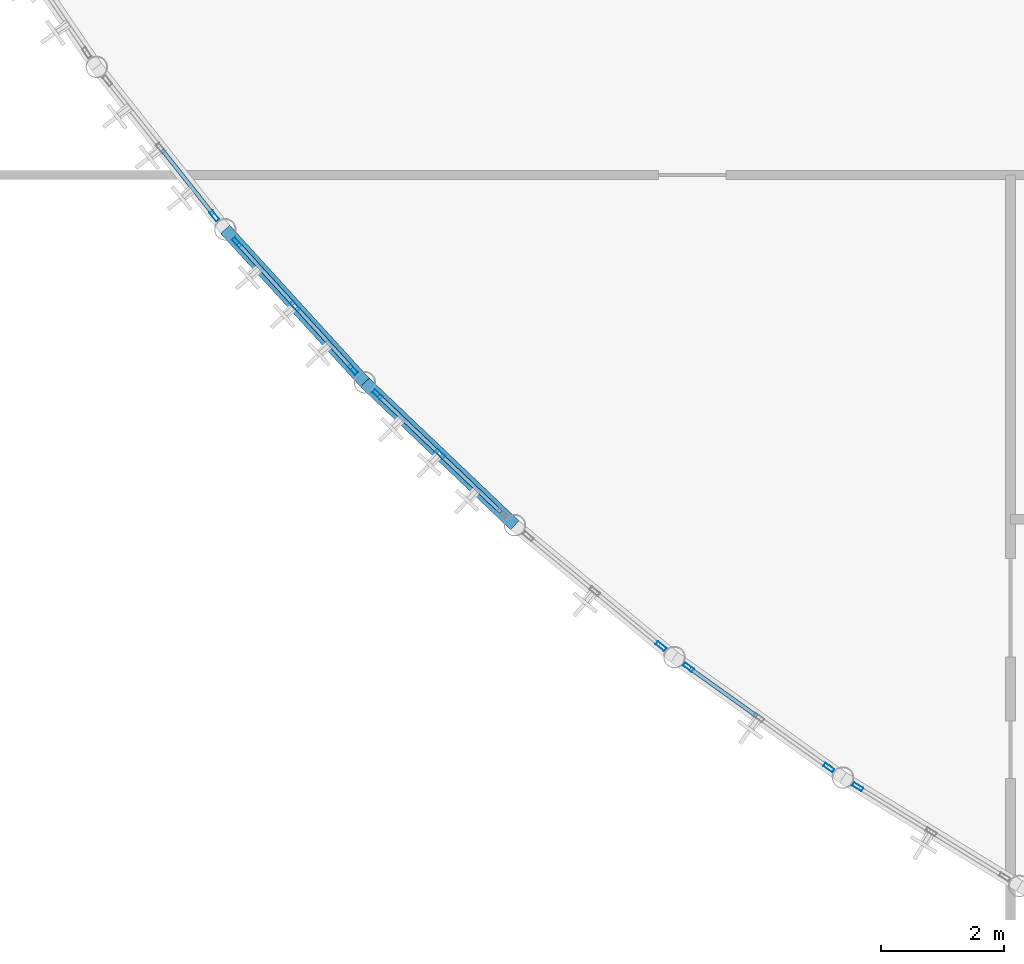
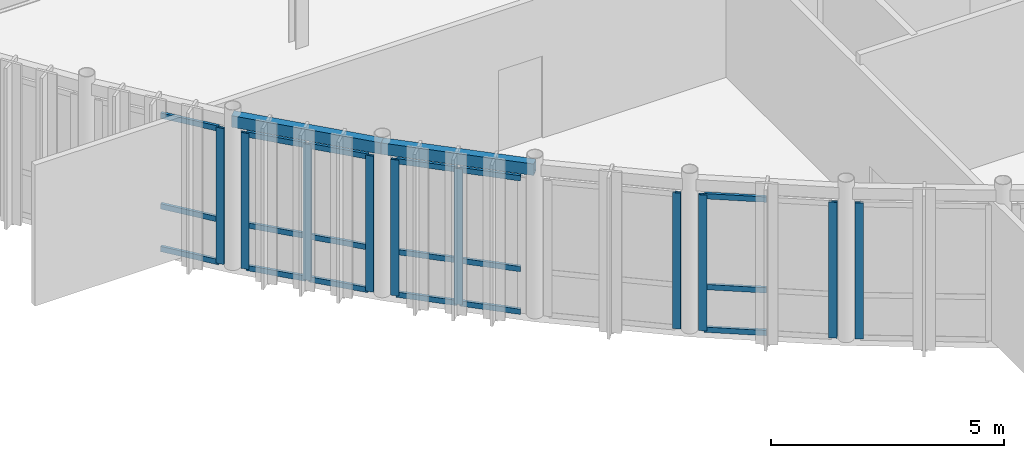
# One storey, part 7 of 32: 28 members, 2 beams, 6 elements without a shape of their own.
"""IFC4 building model written with IfcOpenShell, lengths in metres."""

from ifc_helpers import new_model, si_unit, direction, frame, origin, origin_2d, place, context, subcontext, project, spatial, hollow_rectangle, extrude, material, layer, layer_set, material_profile, profile_set, type_object, element, aggregate, save


model = new_model("IFC4")

# Units and contexts
model_context = context("Model", 3, precision=1e-05, world=origin(), true_north=direction((0.0, 1.0)))
body_context = subcontext(model_context, "Body", "Model", "MODEL_VIEW")
ifc_project = project(units=[si_unit("LENGTHUNIT", "METRE"), si_unit("AREAUNIT", "SQUARE_METRE"), si_unit("VOLUMEUNIT", "CUBIC_METRE"), si_unit("PLANEANGLEUNIT", "RADIAN"), si_unit("MASSUNIT", "GRAM", prefix="KILO")], contexts=[model_context])

# Site, building, storey
site_placement = place(None, origin())
site = spatial("IfcSite", under=ifc_project, at=site_placement, CompositionType="ELEMENT")
building_placement = place(site_placement, origin())
building = spatial("IfcBuilding", under=site, at=building_placement, Name="Selat Folded Stagehouse", CompositionType="ELEMENT")
storey_placement = place(building_placement, frame((0.0, 0.0, 19.199951171875)))
storey = spatial("IfcBuildingStorey", under=building, at=storey_placement, Name="L04", CompositionType="ELEMENT", Elevation=19.199951171875)

# Curtain wall, member
ifc_material_1 = material(Name="Aluminium 6063-T6", Category="aluminium")
ifc_layer = layer(ifc_material_1, 0.18505859375)
ifc_layer_set = layer_set([ifc_layer], Name="Aluminium 6063-T6")
curtain_wall_type = type_object("IfcCurtainWallType", Name="CW-DRM-UPPER", PredefinedType="NOTDEFINED", material=ifc_layer_set)
curtain_wall_1_placement = place(storey_placement, origin())
curtain_wall_1 = element("IfcCurtainWall", 1, at=curtain_wall_1_placement, inside=storey, type_object=curtain_wall_type, Name="L04 curtain wall CW-DRM-L04-11", PredefinedType="NOTDEFINED")
ifc_material_profile_1 = material_profile(ifc_material_1, hollow_rectangle(XDim=0.06494140625, YDim=0.179931640625, WallThickness=0.00390625, at=origin_2d()), Name="ALU 180x65x4.0")
ifc_profile_set_1 = profile_set([ifc_material_profile_1], Name="Aluminium 6063-T6")
member_type_1 = type_object("IfcMemberType", Name="CWM-MUL-180x65", PredefinedType="MULLION", material=ifc_profile_set_1)
member_1_placement = place(storey_placement, frame((11.25146484375, 17.134765625, 0.0), z_axis=(0.0, 0.0, 1.0), x_axis=(-0.784180094825, -0.620533301992, 0.0)))
member_1 = element("IfcMember", 2, at=member_1_placement, type_object=member_type_1, Name="CW-03 mullion 1", PredefinedType="MULLION", context=body_context, shape_type="SweptSolid", body=[
    extrude(hollow_rectangle(XDim=0.06494140625, YDim=0.179931640625, WallThickness=0.00390625, at=origin_2d()), origin(), (0.0, 0.0, 1.0), 3.56005859375),
])

# Curtain wall, members
curtain_wall_2_placement = place(storey_placement, origin())
curtain_wall_2 = element("IfcCurtainWall", 3, at=curtain_wall_2_placement, inside=storey, type_object=curtain_wall_type, Name="L04 curtain wall CW-DRM-L04-12", PredefinedType="NOTDEFINED")
member_2_placement = place(storey_placement, frame((13.507080078125, 14.633056640625, 0.0), z_axis=(0.0, 0.0, 1.0), x_axis=(-0.738729183213, -0.674002369336, 0.0)))
member_2 = element("IfcMember", 4, at=member_2_placement, type_object=member_type_1, Name="CW-03 mullion 1", PredefinedType="MULLION", context=body_context, shape_type="SweptSolid", body=[
    extrude(hollow_rectangle(XDim=0.06494140625, YDim=0.179931640625, WallThickness=0.00390625, at=origin_2d()), origin(), (0.0, 0.0, 1.0), 3.56005859375),
])
member_3_placement = place(storey_placement, frame((12.56201171875, 15.668701171875, 0.0), z_axis=(0.0, 0.0, 1.0), x_axis=(-0.738729183213, -0.674002369336, 0.0)))
member_3 = element("IfcMember", 5, at=member_3_placement, type_object=member_type_1, Name="CW-03 mullion 2", PredefinedType="MULLION", context=body_context, shape_type="SweptSolid", body=[
    extrude(hollow_rectangle(XDim=0.06494140625, YDim=0.179931640625, WallThickness=0.00390625, at=origin_2d()), origin(), (0.0, 0.0, 1.0), 3.56005859375),
])
member_4_placement = place(storey_placement, frame((11.6171875, 16.704345703125, 0.0), z_axis=(0.0, 0.0, 1.0), x_axis=(-0.738729183213, -0.674002369336, 0.0)))
member_4 = element("IfcMember", 6, at=member_4_placement, type_object=member_type_1, Name="CW-03 mullion 3", PredefinedType="MULLION", context=body_context, shape_type="SweptSolid", body=[
    extrude(hollow_rectangle(XDim=0.06494140625, YDim=0.179931640625, WallThickness=0.00390625, at=origin_2d()), origin(), (0.0, 0.0, 1.0), 3.56005859375),
])

curtain_wall_3_placement = place(storey_placement, origin())
curtain_wall_3 = element("IfcCurtainWall", 7, at=curtain_wall_3_placement, inside=storey, type_object=curtain_wall_type, Name="L04 curtain wall CW-DRM-L04-13", PredefinedType="NOTDEFINED")
member_5_placement = place(storey_placement, frame((14.917236328125, 13.262451171875, 0.0), z_axis=(0.0, 0.0, 1.0), x_axis=(-0.689661264636, -0.724132128869, 0.0)))
member_5 = element("IfcMember", 8, at=member_5_placement, type_object=member_type_1, Name="CW-03 mullion 2", PredefinedType="MULLION", context=body_context, shape_type="SweptSolid", body=[
    extrude(hollow_rectangle(XDim=0.06494140625, YDim=0.179931640625, WallThickness=0.00390625, at=origin_2d()), origin(), (0.0, 0.0, 1.0), 3.56005859375),
])
member_6_placement = place(storey_placement, frame((13.90185546875, 14.2294921875, 0.0), z_axis=(0.0, 0.0, 1.0), x_axis=(-0.689661264636, -0.724132128869, 0.0)))
member_6 = element("IfcMember", 9, at=member_6_placement, type_object=member_type_1, Name="CW-03 mullion 3", PredefinedType="MULLION", context=body_context, shape_type="SweptSolid", body=[
    extrude(hollow_rectangle(XDim=0.06494140625, YDim=0.179931640625, WallThickness=0.00390625, at=origin_2d()), origin(), (0.0, 0.0, 1.0), 3.56005859375),
])

# Curtain wall, member
curtain_wall_4_placement = place(storey_placement, origin())
curtain_wall_4 = element("IfcCurtainWall", 10, at=curtain_wall_4_placement, inside=storey, type_object=curtain_wall_type, Name="L04 curtain wall CW-DRM-L04-14", PredefinedType="NOTDEFINED")
member_7_placement = place(storey_placement, frame((18.515869140625, 10.13427734375, 0.0), z_axis=(0.0, 0.0, 1.0), x_axis=(-0.637141737734, -0.770746654899, 0.0)))
member_7 = element("IfcMember", 11, at=member_7_placement, type_object=member_type_1, Name="CW-03 mullion 1", PredefinedType="MULLION", context=body_context, shape_type="SweptSolid", body=[
    extrude(hollow_rectangle(XDim=0.06494140625, YDim=0.179931640625, WallThickness=0.00390625, at=origin_2d()), origin(), (0.0, 0.0, 1.0), 3.56005859375),
])
aggregate(curtain_wall_4, [member_7])

# Curtain wall, members
curtain_wall_5_placement = place(storey_placement, origin())
curtain_wall_5 = element("IfcCurtainWall", 12, at=curtain_wall_5_placement, inside=storey, type_object=curtain_wall_type, Name="L04 curtain wall CW-DRM-L04-15", PredefinedType="NOTDEFINED")
member_8_placement = place(storey_placement, frame((21.24462890625, 8.159423828125, 0.0), z_axis=(0.0, 0.0, 1.0), x_axis=(-0.581528304836, -0.813526170861, 0.0)))
member_8 = element("IfcMember", 13, at=member_8_placement, type_object=member_type_1, Name="CW-03 mullion 1", PredefinedType="MULLION", context=body_context, shape_type="SweptSolid", body=[
    extrude(hollow_rectangle(XDim=0.06494140625, YDim=0.179931640625, WallThickness=0.00390625, at=origin_2d()), origin(), (0.0, 0.0, 1.0), 3.56005859375),
])
member_9_placement = place(storey_placement, frame((18.96337890625, 9.7900390625, 0.0), z_axis=(0.0, 0.0, 1.0), x_axis=(-0.581528304836, -0.813526170861, 0.0)))
member_9 = element("IfcMember", 14, at=member_9_placement, type_object=member_type_1, Name="CW-03 mullion 3", PredefinedType="MULLION", context=body_context, shape_type="SweptSolid", body=[
    extrude(hollow_rectangle(XDim=0.06494140625, YDim=0.179931640625, WallThickness=0.00390625, at=origin_2d()), origin(), (0.0, 0.0, 1.0), 3.56005859375),
])

# Curtain wall, member
curtain_wall_6_placement = place(storey_placement, origin())
curtain_wall_6 = element("IfcCurtainWall", 15, at=curtain_wall_6_placement, inside=storey, type_object=curtain_wall_type, Name="L04 curtain wall CW-DRM-L04-16", PredefinedType="NOTDEFINED")
member_10_placement = place(storey_placement, frame((21.715087890625, 7.847412109375, 0.0), z_axis=(0.0, 0.0, 1.0), x_axis=(-0.523025427755, -0.852317078277, 0.0)))
member_10 = element("IfcMember", 16, at=member_10_placement, type_object=member_type_1, Name="CW-03 mullion 3", PredefinedType="MULLION", context=body_context, shape_type="SweptSolid", body=[
    extrude(hollow_rectangle(XDim=0.06494140625, YDim=0.179931640625, WallThickness=0.00390625, at=origin_2d()), origin(), (0.0, 0.0, 1.0), 3.56005859375),
])
aggregate(curtain_wall_6, [member_10])

# Member
ifc_material_profile_2 = material_profile(ifc_material_1, hollow_rectangle(XDim=0.06494140625, YDim=0.139892578125, WallThickness=0.00390625, at=origin_2d()), Name="ALU 140x65x4.0")
ifc_profile_set_2 = profile_set([ifc_material_profile_2], Name="Aluminium 6063-T6")
member_type_2 = type_object("IfcMemberType", Name="CWM-TRN-140x65", PredefinedType="USERDEFINED", material=ifc_profile_set_2)
member_11_placement = place(storey_placement, frame((11.231201171875, 17.16015625, 0.032470703125), z_axis=(-0.620543894038, 0.784171713066, 0.0), x_axis=(-0.784171713066, -0.620543894038, 0.0)))
member_11 = element("IfcMember", 17, at=member_11_placement, type_object=member_type_2, Name="CW-03 transom 1.1", ObjectType="TRANSOM", PredefinedType="USERDEFINED", context=body_context, shape_type="SweptSolid", body=[
    extrude(hollow_rectangle(XDim=0.06494140625, YDim=0.139892578125, WallThickness=0.00390625, at=origin_2d()), origin(), (0.0, 0.0, 1.0), 1.3369140625),
])

member_12_placement = place(storey_placement, frame((11.231201171875, 17.16015625, 1.150146484375), z_axis=(-0.620543894038, 0.784171713066, 0.0), x_axis=(-0.784171713066, -0.620543894038, 0.0)))
member_12 = element("IfcMember", 18, at=member_12_placement, type_object=member_type_2, Name="CW-03 transom 1.2", ObjectType="TRANSOM", PredefinedType="USERDEFINED", context=body_context, shape_type="SweptSolid", body=[
    extrude(hollow_rectangle(XDim=0.06494140625, YDim=0.139892578125, WallThickness=0.00390625, at=origin_2d()), origin(), (0.0, 0.0, 1.0), 1.3369140625),
])

member_13_placement = place(storey_placement, frame((11.231201171875, 17.16015625, 3.527587890625), z_axis=(-0.620543894038, 0.784171713066, 0.0), x_axis=(-0.784171713066, -0.620543894038, 0.0)))
member_13 = element("IfcMember", 19, at=member_13_placement, type_object=member_type_2, Name="CW-03 transom 1.3", ObjectType="TRANSOM", PredefinedType="USERDEFINED", context=body_context, shape_type="SweptSolid", body=[
    extrude(hollow_rectangle(XDim=0.06494140625, YDim=0.139892578125, WallThickness=0.00390625, at=origin_2d()), origin(), (0.0, 0.0, 1.0), 1.3369140625),
])

aggregate(curtain_wall_1, [member_1, member_11, member_12, member_13])

member_14_placement = place(storey_placement, frame((13.485107421875, 14.656982421875, 0.032470703125), z_axis=(-0.673953245799, 0.738773999594, 0.0), x_axis=(-0.738773999594, -0.673953245799, 0.0)))
member_14 = element("IfcMember", 20, at=member_14_placement, type_object=member_type_2, Name="CW-03 transom 1.1", ObjectType="TRANSOM", PredefinedType="USERDEFINED", context=body_context, shape_type="SweptSolid", body=[
    extrude(hollow_rectangle(XDim=0.06494140625, YDim=0.139892578125, WallThickness=0.00390625, at=origin_2d()), origin(), (0.0, 0.0, 1.0), 1.337158203125),
])

member_15_placement = place(storey_placement, frame((13.485107421875, 14.656982421875, 1.150146484375), z_axis=(-0.673953245799, 0.738773999594, 0.0), x_axis=(-0.738773999594, -0.673953245799, 0.0)))
member_15 = element("IfcMember", 21, at=member_15_placement, type_object=member_type_2, Name="CW-03 transom 1.2", ObjectType="TRANSOM", PredefinedType="USERDEFINED", context=body_context, shape_type="SweptSolid", body=[
    extrude(hollow_rectangle(XDim=0.06494140625, YDim=0.139892578125, WallThickness=0.00390625, at=origin_2d()), origin(), (0.0, 0.0, 1.0), 1.337158203125),
])

member_16_placement = place(storey_placement, frame((13.485107421875, 14.656982421875, 3.527587890625), z_axis=(-0.673953245799, 0.738773999594, 0.0), x_axis=(-0.738773999594, -0.673953245799, 0.0)))
member_16 = element("IfcMember", 22, at=member_16_placement, type_object=member_type_2, Name="CW-03 transom 1.3", ObjectType="TRANSOM", PredefinedType="USERDEFINED", context=body_context, shape_type="SweptSolid", body=[
    extrude(hollow_rectangle(XDim=0.06494140625, YDim=0.139892578125, WallThickness=0.00390625, at=origin_2d()), origin(), (0.0, 0.0, 1.0), 1.337158203125),
])

member_17_placement = place(storey_placement, frame((12.5400390625, 15.692626953125, 0.032470703125), z_axis=(-0.673953245799, 0.738773999594, 0.0), x_axis=(-0.738773999594, -0.673953245799, 0.0)))
member_17 = element("IfcMember", 23, at=member_17_placement, type_object=member_type_2, Name="CW-03 transom 2.1", ObjectType="TRANSOM", PredefinedType="USERDEFINED", context=body_context, shape_type="SweptSolid", body=[
    extrude(hollow_rectangle(XDim=0.06494140625, YDim=0.139892578125, WallThickness=0.00390625, at=origin_2d()), origin(), (0.0, 0.0, 1.0), 1.337158203125),
])

member_18_placement = place(storey_placement, frame((12.5400390625, 15.692626953125, 1.150146484375), z_axis=(-0.673953245799, 0.738773999594, 0.0), x_axis=(-0.738773999594, -0.673953245799, 0.0)))
member_18 = element("IfcMember", 24, at=member_18_placement, type_object=member_type_2, Name="CW-03 transom 2.2", ObjectType="TRANSOM", PredefinedType="USERDEFINED", context=body_context, shape_type="SweptSolid", body=[
    extrude(hollow_rectangle(XDim=0.06494140625, YDim=0.139892578125, WallThickness=0.00390625, at=origin_2d()), origin(), (0.0, 0.0, 1.0), 1.337158203125),
])

member_19_placement = place(storey_placement, frame((12.5400390625, 15.692626953125, 3.527587890625), z_axis=(-0.673953245799, 0.738773999594, 0.0), x_axis=(-0.738773999594, -0.673953245799, 0.0)))
member_19 = element("IfcMember", 25, at=member_19_placement, type_object=member_type_2, Name="CW-03 transom 2.3", ObjectType="TRANSOM", PredefinedType="USERDEFINED", context=body_context, shape_type="SweptSolid", body=[
    extrude(hollow_rectangle(XDim=0.06494140625, YDim=0.139892578125, WallThickness=0.00390625, at=origin_2d()), origin(), (0.0, 0.0, 1.0), 1.337158203125),
])

aggregate(curtain_wall_2, [member_2, member_3, member_4, member_14, member_15, member_16, member_17, member_18, member_19])

member_20_placement = place(storey_placement, frame((15.908935546875, 12.318115234375, 0.032470703125), z_axis=(-0.724150957523, 0.689641494343, 0.0), x_axis=(-0.689641494343, -0.724150957523, 0.0)))
member_20 = element("IfcMember", 26, at=member_20_placement, type_object=member_type_2, Name="CW-03 transom 1.1", ObjectType="TRANSOM", PredefinedType="USERDEFINED", context=body_context, shape_type="SweptSolid", body=[
    extrude(hollow_rectangle(XDim=0.06494140625, YDim=0.139892578125, WallThickness=0.00390625, at=origin_2d()), origin(), (0.0, 0.0, 1.0), 1.337158203125),
])

member_21_placement = place(storey_placement, frame((15.908935546875, 12.318115234375, 1.150146484375), z_axis=(-0.724150957523, 0.689641494343, 0.0), x_axis=(-0.689641494343, -0.724150957523, 0.0)))
member_21 = element("IfcMember", 27, at=member_21_placement, type_object=member_type_2, Name="CW-03 transom 1.2", ObjectType="TRANSOM", PredefinedType="USERDEFINED", context=body_context, shape_type="SweptSolid", body=[
    extrude(hollow_rectangle(XDim=0.06494140625, YDim=0.139892578125, WallThickness=0.00390625, at=origin_2d()), origin(), (0.0, 0.0, 1.0), 1.337158203125),
])

member_22_placement = place(storey_placement, frame((15.908935546875, 12.318115234375, 3.527587890625), z_axis=(-0.724150957523, 0.689641494343, 0.0), x_axis=(-0.689641494343, -0.724150957523, 0.0)))
member_22 = element("IfcMember", 28, at=member_22_placement, type_object=member_type_2, Name="CW-03 transom 1.3", ObjectType="TRANSOM", PredefinedType="USERDEFINED", context=body_context, shape_type="SweptSolid", body=[
    extrude(hollow_rectangle(XDim=0.06494140625, YDim=0.139892578125, WallThickness=0.00390625, at=origin_2d()), origin(), (0.0, 0.0, 1.0), 1.337158203125),
])

member_23_placement = place(storey_placement, frame((14.8935546875, 13.284912109375, 0.032470703125), z_axis=(-0.724064099626, 0.689732687084, 0.0), x_axis=(-0.689732687084, -0.724064099626, 0.0)))
member_23 = element("IfcMember", 29, at=member_23_placement, type_object=member_type_2, Name="CW-03 transom 2.1", ObjectType="TRANSOM", PredefinedType="USERDEFINED", context=body_context, shape_type="SweptSolid", body=[
    extrude(hollow_rectangle(XDim=0.06494140625, YDim=0.139892578125, WallThickness=0.00390625, at=origin_2d()), origin(), (0.0, 0.0, 1.0), 1.3369140625),
])

member_24_placement = place(storey_placement, frame((14.8935546875, 13.284912109375, 1.150146484375), z_axis=(-0.724064099626, 0.689732687084, 0.0), x_axis=(-0.689732687084, -0.724064099626, 0.0)))
member_24 = element("IfcMember", 30, at=member_24_placement, type_object=member_type_2, Name="CW-03 transom 2.2", ObjectType="TRANSOM", PredefinedType="USERDEFINED", context=body_context, shape_type="SweptSolid", body=[
    extrude(hollow_rectangle(XDim=0.06494140625, YDim=0.139892578125, WallThickness=0.00390625, at=origin_2d()), origin(), (0.0, 0.0, 1.0), 1.3369140625),
])

member_25_placement = place(storey_placement, frame((14.8935546875, 13.284912109375, 3.527587890625), z_axis=(-0.724064099626, 0.689732687084, 0.0), x_axis=(-0.689732687084, -0.724064099626, 0.0)))
member_25 = element("IfcMember", 31, at=member_25_placement, type_object=member_type_2, Name="CW-03 transom 2.3", ObjectType="TRANSOM", PredefinedType="USERDEFINED", context=body_context, shape_type="SweptSolid", body=[
    extrude(hollow_rectangle(XDim=0.06494140625, YDim=0.139892578125, WallThickness=0.00390625, at=origin_2d()), origin(), (0.0, 0.0, 1.0), 1.3369140625),
])

aggregate(curtain_wall_3, [member_5, member_6, member_20, member_21, member_22, member_23, member_24, member_25])

member_26_placement = place(storey_placement, frame((20.07763671875, 8.99365234375, 0.032470703125), z_axis=(-0.813573030575, 0.581462745084, 0.0), x_axis=(-0.581462745084, -0.813573030575, 0.0)))
member_26 = element("IfcMember", 32, at=member_26_placement, type_object=member_type_2, Name="CW-03 transom 2.1", ObjectType="TRANSOM", PredefinedType="USERDEFINED", context=body_context, shape_type="SweptSolid", body=[
    extrude(hollow_rectangle(XDim=0.06494140625, YDim=0.139892578125, WallThickness=0.00390625, at=origin_2d()), origin(), (0.0, 0.0, 1.0), 1.3369140625),
])

member_27_placement = place(storey_placement, frame((20.07763671875, 8.99365234375, 1.150146484375), z_axis=(-0.813573030575, 0.581462745084, 0.0), x_axis=(-0.581462745084, -0.813573030575, 0.0)))
member_27 = element("IfcMember", 33, at=member_27_placement, type_object=member_type_2, Name="CW-03 transom 2.2", ObjectType="TRANSOM", PredefinedType="USERDEFINED", context=body_context, shape_type="SweptSolid", body=[
    extrude(hollow_rectangle(XDim=0.06494140625, YDim=0.139892578125, WallThickness=0.00390625, at=origin_2d()), origin(), (0.0, 0.0, 1.0), 1.3369140625),
])

member_28_placement = place(storey_placement, frame((20.07763671875, 8.99365234375, 3.527587890625), z_axis=(-0.813573030575, 0.581462745084, 0.0), x_axis=(-0.581462745084, -0.813573030575, 0.0)))
member_28 = element("IfcMember", 34, at=member_28_placement, type_object=member_type_2, Name="CW-03 transom 2.3", ObjectType="TRANSOM", PredefinedType="USERDEFINED", context=body_context, shape_type="SweptSolid", body=[
    extrude(hollow_rectangle(XDim=0.06494140625, YDim=0.139892578125, WallThickness=0.00390625, at=origin_2d()), origin(), (0.0, 0.0, 1.0), 1.3369140625),
])

aggregate(curtain_wall_5, [member_8, member_9, member_26, member_27, member_28])

# Beams
ifc_material_2 = material(Name="Steel S355", Category="steel")
ifc_material_profile_3 = material_profile(ifc_material_2, hollow_rectangle(XDim=0.199951171875, YDim=0.300048828125, WallThickness=0.012451171875, at=origin_2d()), Name="RHS 300x200x12.5")
ifc_profile_set_3 = profile_set([ifc_material_profile_3], Name="Steel S355")
beam_type = type_object("IfcBeamType", Name="SPD-RHS-300x200", PredefinedType="SPANDREL", material=ifc_profile_set_3)
beam_1_placement = place(storey_placement, frame((11.4267578125, 16.9130859375, 3.85009765625), z_axis=(0.674009862858, -0.738722346197, 0.0), x_axis=(0.738722346197, 0.674009862858, 0.0)))
element("IfcBeam", 35, at=beam_1_placement, inside=storey, type_object=beam_type, Name="L04 curved drum spandrel beam 13", PredefinedType="SPANDREL", context=body_context, shape_type="SweptSolid", body=[
    extrude(hollow_rectangle(XDim=0.199951171875, YDim=0.300048828125, WallThickness=0.012451171875, at=origin_2d()), origin(), (0.0, 0.0, 1.0), 3.369140625),
])
beam_2_placement = place(storey_placement, frame((13.697509765625, 14.42431640625, 3.85009765625), z_axis=(0.724108632634, -0.689685934426, 0.0), x_axis=(0.689685934426, 0.724108632634, 0.0)))
element("IfcBeam", 36, at=beam_2_placement, inside=storey, type_object=beam_type, Name="L04 curved drum spandrel beam 14", PredefinedType="SPANDREL", context=body_context, shape_type="SweptSolid", body=[
    extrude(hollow_rectangle(XDim=0.199951171875, YDim=0.300048828125, WallThickness=0.012451171875, at=origin_2d()), origin(), (0.0, 0.0, 1.0), 3.368896484375),
])

save(model, "model.ifc")
